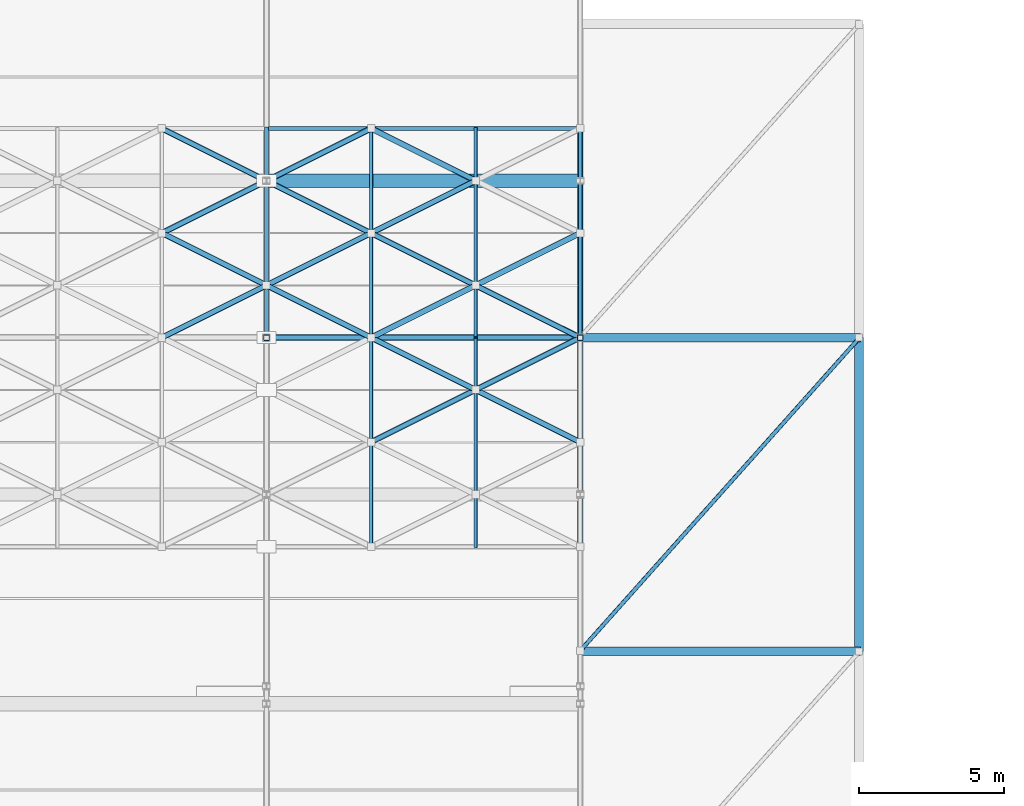
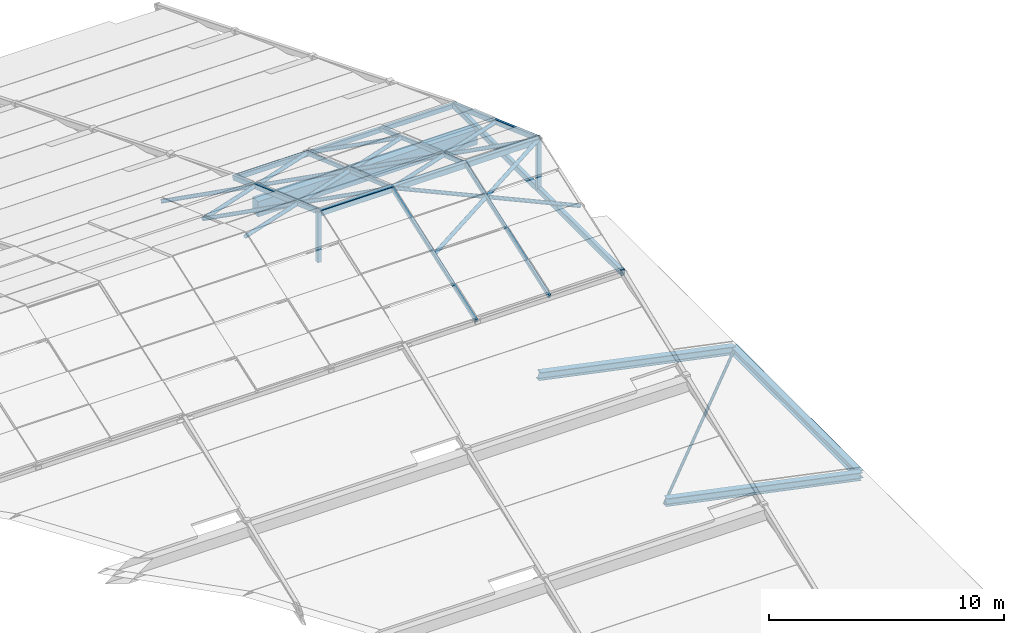
# One storey, part 64 of 112: 30 members, 4 beams.
"""IFC4 building model written with IfcOpenShell, lengths in metres."""

from ifc_helpers import new_model, si_unit, direction, frame, origin, origin_2d, place, context, subcontext, project, spatial, rectangle, hollow_rectangle, hollow_circle, i_section, extrude, material, material_profile, profile_set, type_object, element, save


model = new_model("IFC4")

# Units and contexts
model_context = context("Model", 3, precision=1e-05, world=origin(), true_north=direction((0.0, 1.0)))
body_context = subcontext(model_context, "Body", "Model", "MODEL_VIEW")
ifc_project = project(units=[si_unit("LENGTHUNIT", "METRE"), si_unit("AREAUNIT", "SQUARE_METRE"), si_unit("VOLUMEUNIT", "CUBIC_METRE"), si_unit("PLANEANGLEUNIT", "RADIAN"), si_unit("MASSUNIT", "GRAM", prefix="KILO")], contexts=[model_context])

# Site, building, storey
site_placement = place(None, origin())
site = spatial("IfcSite", under=ifc_project, at=site_placement, CompositionType="ELEMENT")
building_placement = place(site_placement, origin())
building = spatial("IfcBuilding", under=site, at=building_placement, Name="Zwinboog Wholesale Market", CompositionType="ELEMENT")
storey_placement = place(building_placement, frame((0.0, 0.0, 19.080078125)))
storey = spatial("IfcBuildingStorey", under=building, at=storey_placement, Name="Roof", CompositionType="ELEMENT", Elevation=19.080078125)

# Beams
ifc_material_1 = material(Name="Precast concrete C45/55", Category="concrete")
ifc_material_profile_1 = material_profile(ifc_material_1, rectangle(XDim=0.449951171875, YDim=0.800048828125, at=origin_2d()), Name="PC 450x800")
ifc_profile_set_1 = profile_set([ifc_material_profile_1], Name="Precast concrete C45/55")
beam_type_1 = type_object("IfcBeamType", Name="BT-07", PredefinedType="BEAM", material=ifc_profile_set_1)
beam_1_placement = place(storey_placement, frame((162.0, 81.0, 0.16796875), z_axis=(1.0, 0.0, 0.0), x_axis=(0.0, 1.0, 0.0)))
element("IfcBeam", 1, at=beam_1_placement, inside=storey, type_object=beam_type_1, Name="EB-02 (BMG-Roof-1620-0810-1146)", PredefinedType="BEAM", context=body_context, shape_type="SweptSolid", body=[
    extrude(rectangle(XDim=0.449951171875, YDim=0.800048828125, at=origin_2d()), origin(), (0.0, 0.0, 1.0), 10.800048828125),
])
ifc_material_2 = material(Name="Steel S355", Category="steel")
ifc_material_profile_2 = material_profile(ifc_material_2, i_section(OverallWidth=0.300048828125, OverallDepth=0.39990234375, WebThickness=0.013427734375, FlangeThickness=0.02392578125, FilletRadius=0.027099609375, at=origin_2d()), Name="HEB 400")
ifc_profile_set_2 = profile_set([ifc_material_profile_2], Name="Steel S355")
beam_type_2 = type_object("IfcBeamType", Name="BT-15", PredefinedType="BEAM", material=ifc_profile_set_2)
beam_2_placement = place(storey_placement, frame((182.39990234375, 64.800048828125, -11.080078125), z_axis=(0.0, 1.0, 0.0), x_axis=(-1.0, 0.0, 0.0)))
element("IfcBeam", 2, at=beam_2_placement, inside=storey, type_object=beam_type_2, Name="SB-02 (BMG-Roof-1824-0648-1325)", PredefinedType="BEAM", context=body_context, shape_type="SweptSolid", body=[
    extrude(i_section(OverallWidth=0.300048828125, OverallDepth=0.39990234375, WebThickness=0.013427734375, FlangeThickness=0.02392578125, FilletRadius=0.027099609375, at=origin_2d()), origin(), (0.0, 0.0, 1.0), 10.800048828125),
])
for number, where, z_axis, x_axis, name in (
    (3, (172.800048828125, 64.800048828125, -9.080078125), (0.978979798341, 0.0, -0.203957236795), (0.0, 1.0, 0.0), "SB-02 (BMG-Roof-1728-0648-1326)"),
    (4, (172.800048828125, 75.60009765625, -9.080078125), (0.978979798341, 0.0, -0.203957236795), (0.0, 1.0, 0.0), "SB-02 (BMG-Roof-1728-0756-1328)"),
):
    element("IfcBeam", number, at=place(storey_placement, frame(where, z_axis=z_axis, x_axis=x_axis)), inside=storey, type_object=beam_type_2, Name=name, PredefinedType="BEAM", context=body_context, shape_type="SweptSolid", body=[
        extrude(i_section(OverallWidth=0.300048828125, OverallDepth=0.39990234375, WebThickness=0.013427734375, FlangeThickness=0.02392578125, FilletRadius=0.027099609375, at=origin_2d()), origin(), (0.0, 0.0, 1.0), 9.805908203125),
    ])

# Members
ifc_material_profile_3 = material_profile(ifc_material_2, hollow_rectangle(XDim=0.199951171875, YDim=0.300048828125, WallThickness=0.012451171875, InnerFilletRadius=0.012451171875, OuterFilletRadius=0.02490234375, at=origin_2d()), Name="RHS 300x200x12.5")
ifc_profile_set_3 = profile_set([ifc_material_profile_3], Name="Steel S355")
member_type_1 = type_object("IfcMemberType", Name="MT-01", PredefinedType="CHORD", material=ifc_profile_set_3)
member_1_placement = place(storey_placement, frame((172.800048828125, 68.39990234375, 0.619873046875), z_axis=(0.0, 1.0, 0.0), x_axis=(-1.0, 0.0, 0.0)))
element("IfcMember", 5, at=member_1_placement, inside=storey, type_object=member_type_1, Name="DC-01 (MEM-Roof-0327)", PredefinedType="CHORD", context=body_context, shape_type="SweptSolid", body=[
    extrude(hollow_rectangle(XDim=0.199951171875, YDim=0.300048828125, WallThickness=0.012451171875, InnerFilletRadius=0.012451171875, OuterFilletRadius=0.02490234375, at=origin_2d()), origin(), (0.0, 0.0, 1.0), 14.400146484375),
])
member_2_placement = place(storey_placement, frame((162.0, 75.60009765625, 3.139892578125), z_axis=(1.0, 0.0, 0.0), x_axis=(0.0, 1.0, 0.0)))
element("IfcMember", 6, at=member_2_placement, inside=storey, type_object=member_type_1, Name="DC-01 (MEM-Roof-0358)", PredefinedType="CHORD", context=body_context, shape_type="SweptSolid", body=[
    extrude(hollow_rectangle(XDim=0.199951171875, YDim=0.300048828125, WallThickness=0.012451171875, InnerFilletRadius=0.012451171875, OuterFilletRadius=0.02490234375, at=origin_2d()), origin(), (0.0, 0.0, 1.0), 10.800048828125),
])
ifc_material_profile_4 = material_profile(ifc_material_2, hollow_rectangle(XDim=0.14990234375, YDim=0.25, WallThickness=0.010009765625, InnerFilletRadius=0.010009765625, OuterFilletRadius=0.02001953125, at=origin_2d()), Name="RHS 250x150x10")
ifc_profile_set_4 = profile_set([ifc_material_profile_4], Name="Steel S355")
member_type_2 = type_object("IfcMemberType", Name="MT-02", PredefinedType="CHORD", material=ifc_profile_set_4)
for number, where, z_axis, x_axis, name in (
    (7, (162.0, 82.800048828125, 0.619873046875), (0.0, -0.940549088473, 0.339657786858), (1.0, 0.0, 0.0), "DC-02 (MEM-Roof-0300)"),
    (8, (172.800048828125, 82.800048828125, 0.619873046875), (0.0, -0.940549088473, 0.339657786858), (1.0, 0.0, 0.0), "DC-02 (MEM-Roof-0330)"),
):
    element("IfcMember", number, at=place(storey_placement, frame(where, z_axis=z_axis, x_axis=x_axis)), inside=storey, type_object=member_type_2, Name=name, PredefinedType="CHORD", context=body_context, shape_type="SweptSolid", body=[
        extrude(hollow_rectangle(XDim=0.14990234375, YDim=0.25, WallThickness=0.010009765625, InnerFilletRadius=0.010009765625, OuterFilletRadius=0.02001953125, at=origin_2d()), origin(), (0.0, 0.0, 1.0), 7.655029296875),
    ])
member_3_placement = place(storey_placement, frame((162.0, 82.800048828125, 0.58984375), z_axis=(1.0, 0.0, 0.0), x_axis=(0.0, 1.0, 0.0)))
element("IfcMember", 9, at=member_3_placement, inside=storey, type_object=member_type_2, Name="DC-02 (MEM-Roof-0360)", PredefinedType="CHORD", context=body_context, shape_type="SweptSolid", body=[
    extrude(hollow_rectangle(XDim=0.14990234375, YDim=0.25, WallThickness=0.010009765625, InnerFilletRadius=0.010009765625, OuterFilletRadius=0.02001953125, at=origin_2d()), origin(), (0.0, 0.0, 1.0), 10.800048828125),
])
ifc_material_profile_5 = material_profile(ifc_material_2, hollow_rectangle(XDim=0.1201171875, YDim=0.199951171875, WallThickness=0.008056640625, InnerFilletRadius=0.008056640625, OuterFilletRadius=0.01611328125, at=origin_2d()), Name="RHS 200x120x8")
ifc_profile_set_5 = profile_set([ifc_material_profile_5], Name="Steel S355")
member_type_3 = type_object("IfcMemberType", Name="MT-03", PredefinedType="CHORD", material=ifc_profile_set_5)
member_4_placement = place(storey_placement, frame((165.60009765625, 68.39990234375, 0.6298828125), z_axis=(0.0, 0.942628063348, 0.333844775589), x_axis=(-1.0, 0.0, 0.0)))
element("IfcMember", 10, at=member_4_placement, inside=storey, type_object=member_type_3, Name="DC-03 (MEM-Roof-0641)", PredefinedType="CHORD", context=body_context, shape_type="SweptSolid", body=[
    extrude(hollow_rectangle(XDim=0.1201171875, YDim=0.199951171875, WallThickness=0.008056640625, InnerFilletRadius=0.008056640625, OuterFilletRadius=0.01611328125, at=origin_2d()), origin(), (0.0, 0.0, 1.0), 7.638427734375),
])
member_5_placement = place(storey_placement, frame((165.60009765625, 82.800048828125, 0.6298828125), z_axis=(0.0, -0.94262450093, 0.333854834092), x_axis=(1.0, 0.0, 0.0)))
element("IfcMember", 11, at=member_5_placement, inside=storey, type_object=member_type_3, Name="DC-03 (MEM-Roof-0642)", PredefinedType="CHORD", context=body_context, shape_type="SweptSolid", body=[
    extrude(hollow_rectangle(XDim=0.1201171875, YDim=0.199951171875, WallThickness=0.008056640625, InnerFilletRadius=0.008056640625, OuterFilletRadius=0.01611328125, at=origin_2d()), origin(), (0.0, 0.0, 1.0), 7.63818359375),
])
member_6_placement = place(storey_placement, frame((169.199951171875, 68.39990234375, 0.6298828125), z_axis=(0.0, 0.942628063348, 0.333844775589), x_axis=(-1.0, 0.0, 0.0)))
element("IfcMember", 12, at=member_6_placement, inside=storey, type_object=member_type_3, Name="DC-03 (MEM-Roof-0651)", PredefinedType="CHORD", context=body_context, shape_type="SweptSolid", body=[
    extrude(hollow_rectangle(XDim=0.1201171875, YDim=0.199951171875, WallThickness=0.008056640625, InnerFilletRadius=0.008056640625, OuterFilletRadius=0.01611328125, at=origin_2d()), origin(), (0.0, 0.0, 1.0), 7.638427734375),
])
member_7_placement = place(storey_placement, frame((169.199951171875, 82.800048828125, 0.6298828125), z_axis=(0.0, -0.94262450093, 0.333854834092), x_axis=(1.0, 0.0, 0.0)))
element("IfcMember", 13, at=member_7_placement, inside=storey, type_object=member_type_3, Name="DC-03 (MEM-Roof-0652)", PredefinedType="CHORD", context=body_context, shape_type="SweptSolid", body=[
    extrude(hollow_rectangle(XDim=0.1201171875, YDim=0.199951171875, WallThickness=0.008056640625, InnerFilletRadius=0.008056640625, OuterFilletRadius=0.01611328125, at=origin_2d()), origin(), (0.0, 0.0, 1.0), 7.63818359375),
])
ifc_material_profile_6 = material_profile(ifc_material_2, hollow_rectangle(XDim=0.199951171875, YDim=0.199951171875, WallThickness=0.010009765625, InnerFilletRadius=0.010009765625, OuterFilletRadius=0.02001953125, at=origin_2d()), Name="SHS 200x200x10")
ifc_profile_set_6 = profile_set([ifc_material_profile_6], Name="Steel S355")
member_type_4 = type_object("IfcMemberType", Name="MT-04", PredefinedType="BRACE", material=ifc_profile_set_6)
for number, where, z_axis, x_axis, name in (
    (14, (162.0, 75.60009765625, 0.619873046875), (0.0, 0.0, 1.0), (1.0, 0.0, 0.0), "DB-01 (MEM-Roof-0298)"),
    (15, (172.800048828125, 75.60009765625, 0.619873046875), (0.0, 0.0, 1.0), (1.0, 0.0, 0.0), "DB-01 (MEM-Roof-0328)"),
):
    element("IfcMember", number, at=place(storey_placement, frame(where, z_axis=z_axis, x_axis=x_axis)), inside=storey, type_object=member_type_4, Name=name, PredefinedType="BRACE", context=body_context, shape_type="SweptSolid", body=[
        extrude(hollow_rectangle(XDim=0.199951171875, YDim=0.199951171875, WallThickness=0.010009765625, InnerFilletRadius=0.010009765625, OuterFilletRadius=0.02001953125, at=origin_2d()), origin(), (0.0, 0.0, 1.0), 2.60009765625),
    ])
ifc_material_profile_7 = material_profile(ifc_material_2, hollow_circle(Radius=0.096923828125, WallThickness=0.010009765625, at=origin_2d()), Name="CHS 193.7x10")
ifc_profile_set_7 = profile_set([ifc_material_profile_7], Name="Steel S355")
member_type_5 = type_object("IfcMemberType", Name="MT-06", PredefinedType="BRACE", material=ifc_profile_set_7)
for number, where, z_axis, x_axis, name in (
    (16, (158.39990234375, 75.60009765625, 3.179931640625), (0.883440420719, 0.441660299847, -0.156426348738), (-0.447165069061, 0.894451452574, 0.0), "DB-03 (MEM-Roof-0627)"),
    (17, (158.39990234375, 79.199951171875, 1.905029296875), (0.883417044144, -0.441708522072, 0.156422209566), (0.4472135955, 0.894427191, 0.0), "DB-03 (MEM-Roof-0628)"),
    (18, (158.39990234375, 79.199951171875, 1.905029296875), (0.883408764097, 0.441704382048, -0.156480651826), (-0.4472135955, 0.894427191, 0.0), "DB-03 (MEM-Roof-0629)"),
    (19, (158.39990234375, 82.800048828125, 0.6298828125), (0.883417044144, -0.441708522072, 0.156422209566), (0.4472135955, 0.894427191, 0.0), "DB-03 (MEM-Roof-0630)"),
    (20, (162.0, 77.39990234375, 2.54248046875), (0.883440420719, -0.441660299847, 0.156426348738), (0.447165069061, 0.894451452574, 0.0), "DB-03 (MEM-Roof-0637)"),
    (21, (162.0, 77.39990234375, 2.54248046875), (0.883417044144, 0.441708522072, -0.156422209566), (-0.4472135955, 0.894427191, 0.0), "DB-03 (MEM-Roof-0638)"),
    (22, (162.0, 81.0, 1.267333984375), (0.883408764097, -0.441704382048, 0.156480651826), (0.4472135955, 0.894427191, 0.0), "DB-03 (MEM-Roof-0639)"),
    (23, (162.0, 81.0, 1.267333984375), (0.883417044144, 0.441708522072, -0.156422209566), (-0.4472135955, 0.894427191, 0.0), "DB-03 (MEM-Roof-0640)"),
):
    element("IfcMember", number, at=place(storey_placement, frame(where, z_axis=z_axis, x_axis=x_axis)), inside=storey, type_object=member_type_5, Name=name, PredefinedType="BRACE", context=body_context, shape_type="SweptSolid", body=[
        extrude(hollow_circle(Radius=0.096923828125, WallThickness=0.010009765625, at=origin_2d()), origin(), (0.0, 0.0, 1.0), 4.0751953125),
    ])
for number, where, z_axis, x_axis, name in (
    (24, (165.60009765625, 72.0, 1.905029296875), (0.883403888637, 0.441731900368, 0.15643048852), (-0.447237858884, 0.894415058897, 0.0), "DB-03 (MEM-Roof-0645)"),
    (25, (165.60009765625, 75.60009765625, 3.179931640625), (0.883403888637, -0.441731900368, -0.15643048852), (0.447237858884, 0.894415058897, 0.0), "DB-03 (MEM-Roof-0646)"),
    (26, (165.60009765625, 75.60009765625, 3.179931640625), (0.883427267339, 0.441683676827, -0.15643462835), (-0.447189331129, 0.894439322774, 0.0), "DB-03 (MEM-Roof-0647)"),
    (27, (165.60009765625, 79.199951171875, 1.905029296875), (0.883403888637, -0.441731900368, 0.15643048852), (0.447237858884, 0.894415058897, 0.0), "DB-03 (MEM-Roof-0648)"),
    (28, (165.60009765625, 79.199951171875, 1.905029296875), (0.883395607837, 0.441727759687, -0.156488933718), (-0.447237858884, 0.894415058897, 0.0), "DB-03 (MEM-Roof-0649)"),
    (29, (165.60009765625, 82.800048828125, 0.6298828125), (0.883403888637, -0.441731900368, 0.15643048852), (0.447237858884, 0.894415058897, 0.0), "DB-03 (MEM-Roof-0650)"),
):
    element("IfcMember", number, at=place(storey_placement, frame(where, z_axis=z_axis, x_axis=x_axis)), inside=storey, type_object=member_type_5, Name=name, PredefinedType="BRACE", context=body_context, shape_type="SweptSolid", body=[
        extrude(hollow_circle(Radius=0.096923828125, WallThickness=0.010009765625, at=origin_2d()), origin(), (0.0, 0.0, 1.0), 4.074951171875),
    ])
for number, where, z_axis, x_axis, name in (
    (30, (169.199951171875, 73.800048828125, 2.54248046875), (0.883417044144, -0.441708522072, -0.156422209566), (0.4472135955, 0.894427191, 0.0), "DB-03 (MEM-Roof-0655)"),
    (31, (169.199951171875, 73.800048828125, 2.54248046875), (0.883417044144, 0.441708522072, 0.156422209566), (-0.4472135955, 0.894427191, 0.0), "DB-03 (MEM-Roof-0656)"),
    (32, (169.199951171875, 77.39990234375, 2.54248046875), (0.883440420719, -0.441660299847, 0.156426348738), (0.447165069061, 0.894451452574, 0.0), "DB-03 (MEM-Roof-0657)"),
    (33, (169.199951171875, 77.39990234375, 2.54248046875), (0.883417044144, 0.441708522072, -0.156422209566), (-0.4472135955, 0.894427191, 0.0), "DB-03 (MEM-Roof-0658)"),
):
    element("IfcMember", number, at=place(storey_placement, frame(where, z_axis=z_axis, x_axis=x_axis)), inside=storey, type_object=member_type_5, Name=name, PredefinedType="BRACE", context=body_context, shape_type="SweptSolid", body=[
        extrude(hollow_circle(Radius=0.096923828125, WallThickness=0.010009765625, at=origin_2d()), origin(), (0.0, 0.0, 1.0), 4.0751953125),
    ])
ifc_material_profile_8 = material_profile(ifc_material_2, hollow_circle(Radius=0.06982421875, WallThickness=0.00634765625, at=origin_2d()), Name="CHS 139.7x6.3")
ifc_profile_set_8 = profile_set([ifc_material_profile_8], Name="Steel S355")
member_type_6 = type_object("IfcMemberType", Name="MT-08", PredefinedType="BRACE", material=ifc_profile_set_8)
member_8_placement = place(storey_placement, frame((172.800048828125, 64.820068359375, -9.16015625), z_axis=(0.659421748326, 0.739113825029, -0.137381627178), x_axis=(-0.746189046362, 0.665734111406, 0.0)))
element("IfcMember", 34, at=member_8_placement, inside=storey, type_object=member_type_6, Name="DB-05 (MEM-Roof-0943)", PredefinedType="BRACE", context=body_context, shape_type="SweptSolid", body=[
    extrude(hollow_circle(Radius=0.06982421875, WallThickness=0.00634765625, at=origin_2d()), origin(), (0.0, 0.0, 1.0), 14.55810546875),
])

save(model, "model.ifc")
